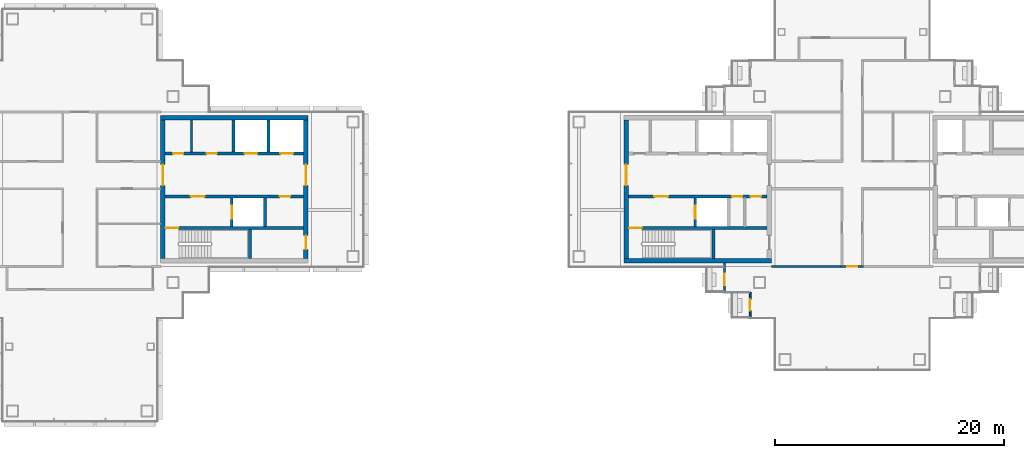
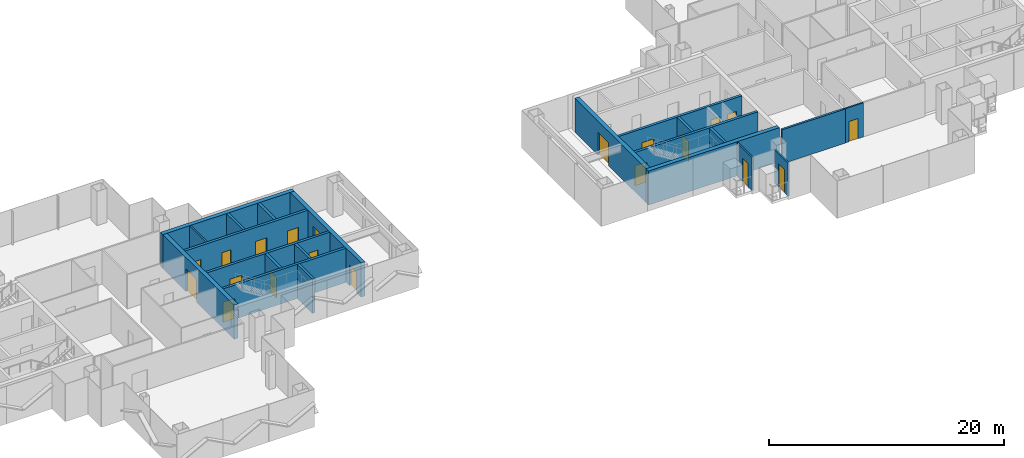
# One storey, part 10 of 17: 22 walls, 20 doors, 20 openings.
"""IFC4 building model written with IfcOpenShell, lengths in metres."""

from ifc_helpers import new_model, si_unit, direction, frame, frame_2d, origin, place, context, subcontext, project, spatial, rectangle, extrude, material, layer, layer_set, type_object, element, fill, save


model = new_model("IFC4")

# Units and contexts
model_context = context("Model", 3, precision=1e-05, world=origin(), true_north=direction((0.0, 1.0)))
body_context = subcontext(model_context, "Body", "Model", "MODEL_VIEW")
ifc_project = project(units=[si_unit("LENGTHUNIT", "METRE"), si_unit("AREAUNIT", "SQUARE_METRE"), si_unit("VOLUMEUNIT", "CUBIC_METRE"), si_unit("PLANEANGLEUNIT", "RADIAN"), si_unit("MASSUNIT", "GRAM", prefix="KILO")], contexts=[model_context])

# Site, building, storey
site_placement = place(None, origin())
site = spatial("IfcSite", under=ifc_project, at=site_placement, CompositionType="ELEMENT")
building_placement = place(site_placement, origin())
building = spatial("IfcBuilding", under=site, at=building_placement, Name="Shamsa Quay Exchange Towers", CompositionType="ELEMENT")
storey_placement = place(building_placement, frame((0.0, 0.0, 198.300048828125)))
storey = spatial("IfcBuildingStorey", under=building, at=storey_placement, Name="L47", CompositionType="ELEMENT", Elevation=198.300048828125)

# Wall, opening, door
ifc_material_1 = material(Name="Aluminium EN AW-6063 T6, black anodised, with black enamelled glass infill", Category="aluminium")
ifc_layer_1 = layer(ifc_material_1, 0.14990234375)
ifc_layer_set_1 = layer_set([ifc_layer_1], Name="BALCONY DOOR BAY WALL 150")
wall_type_1 = type_object("IfcWallType", Name="BALCONY DOOR BAY WALL 150", PredefinedType="SOLIDWALL", material=ifc_layer_set_1)
wall_1_placement = place(storey_placement, frame((22.574951171875, -9.0, 0.0), z_axis=(0.0, 0.0, 1.0), x_axis=(0.0, 1.0, 0.0)))
wall_1 = element("IfcWall", 1, at=wall_1_placement, inside=storey, type_object=wall_type_1, Name="Door bay T2-PKWN L47", PredefinedType="SOLIDWALL", context=body_context, shape_type="SweptSolid", body=[
    extrude(rectangle(XDim=2.556884765625, YDim=0.14990234375, at=frame_2d((1.2783203125, 0.0))), origin(), (0.0, 0.0, 1.0), 3.449951171875),
])
opening_1_placement = place(wall_1_placement, frame((0.625, 0.0, 0.0)))
opening_1 = element("IfcOpeningElement", 2, at=opening_1_placement, cuts=wall_1, Name="Opening XD309", PredefinedType="OPENING", context=body_context, shape_type="SweptSolid", body=[
    extrude(rectangle(XDim=1.0, YDim=2.39990234375, at=frame_2d((0.5, 1.199951171875))), frame((0.0, 0.0849609375, 0.0), z_axis=(0.0, -1.0, 0.0), x_axis=(1.0, 0.0, 0.0)), (0.0, 0.0, 1.0), 0.169921875),
])
ifc_material_2 = material(Name="Aluminium EN AW-6063 T6, black anodised, with laminated glass leaf", Category="aluminium")
door_type_1 = type_object("IfcDoorType", Name="BALCONY DOOR 1000x2400", OperationType="SINGLE_SWING_LEFT", PredefinedType="DOOR", material=ifc_material_2)
door_1_placement = place(opening_1_placement, origin())
door_1 = element("IfcDoor", 3, at=door_1_placement, inside=storey, type_object=door_type_1, Name="Balcony door T2-PKWN L47", OperationType="SINGLE_SWING_LEFT", OverallHeight=2.39990234375, OverallWidth=1.0, PredefinedType="DOOR", context=body_context, shape_type="SweptSolid", body=[
    extrude(rectangle(XDim=1.0, YDim=2.39990234375, at=frame_2d((0.5, 1.199951171875))), frame((0.0, 0.02490234375, 0.0), z_axis=(0.0, -1.0, 0.0), x_axis=(1.0, 0.0, 0.0)), (0.0, 0.0, 1.0), 0.050048828125),
])
fill(opening_1, door_1)

wall_2_placement = place(storey_placement, frame((24.824951171875, -11.25, 0.0), z_axis=(0.0, 0.0, 1.0), x_axis=(0.0, 1.0, 0.0)))
wall_2 = element("IfcWall", 4, at=wall_2_placement, inside=storey, type_object=wall_type_1, Name="Door bay T2-PKWN L47", PredefinedType="SOLIDWALL", context=body_context, shape_type="SweptSolid", body=[
    extrude(rectangle(XDim=2.25, YDim=0.14990234375, at=frame_2d((1.125, 0.0))), origin(), (0.0, 0.0, 1.0), 3.449951171875),
])
opening_2_placement = place(wall_2_placement, frame((0.625, 0.0, 0.0)))
opening_2 = element("IfcOpeningElement", 5, at=opening_2_placement, cuts=wall_2, Name="Opening XD310", PredefinedType="OPENING", context=body_context, shape_type="SweptSolid", body=[
    extrude(rectangle(XDim=1.0, YDim=2.39990234375, at=frame_2d((0.5, 1.199951171875))), frame((0.0, 0.0849609375, 0.0), z_axis=(0.0, -1.0, 0.0), x_axis=(1.0, 0.0, 0.0)), (0.0, 0.0, 1.0), 0.169921875),
])
door_2_placement = place(opening_2_placement, origin())
door_2 = element("IfcDoor", 6, at=door_2_placement, inside=storey, type_object=door_type_1, Name="Balcony door T2-PKWN L47", OperationType="SINGLE_SWING_RIGHT", OverallHeight=2.39990234375, OverallWidth=1.0, PredefinedType="DOOR", context=body_context, shape_type="SweptSolid", body=[
    extrude(rectangle(XDim=1.0, YDim=2.39990234375, at=frame_2d((0.5, 1.199951171875))), frame((0.0, 0.02490234375, 0.0), z_axis=(0.0, -1.0, 0.0), x_axis=(1.0, 0.0, 0.0)), (0.0, 0.0, 1.0), 0.050048828125),
])
fill(opening_2, door_2)

# Wall
ifc_material_3 = material(Name="Concrete C60/75", Category="concrete")
ifc_layer_2 = layer(ifc_material_3, 0.39990234375)
ifc_layer_set_2 = layer_set([ifc_layer_2], Name="CORE WALL 400 C60/75")
wall_type_2 = type_object("IfcWallType", Name="CORE WALL 400 C60/75", PredefinedType="SHEAR", material=ifc_layer_set_2)
wall_3_placement = place(storey_placement, frame((-26.699951171875, 6.25, 0.0)))
element("IfcWall", 7, at=wall_3_placement, inside=storey, type_object=wall_type_2, Name="Core wall T1A-R21-PN", PredefinedType="SHEAR", context=body_context, shape_type="SweptSolid", body=[
    extrude(rectangle(XDim=12.89990234375, YDim=0.39990234375, at=frame_2d((6.449951171875, 0.0))), origin(), (0.0, 0.0, 1.0), 3.550048828125),
])

# Wall, opening, door
wall_4_placement = place(storey_placement, frame((-26.5, 6.050048828125, 0.0), z_axis=(0.0, 0.0, 1.0), x_axis=(0.0, -1.0, 0.0)))
wall_4 = element("IfcWall", 8, at=wall_4_placement, inside=storey, type_object=wall_type_2, Name="Core wall T1A-R21-PF", PredefinedType="SHEAR", context=body_context, shape_type="SweptSolid", body=[
    extrude(rectangle(XDim=12.10009765625, YDim=0.39990234375, at=frame_2d((6.050048828125, 0.0))), origin(), (0.0, 0.0, 1.0), 3.550048828125),
])
opening_3_placement = place(wall_4_placement, frame((3.89990234375, 0.0, 0.0)))
opening_3 = element("IfcOpeningElement", 9, at=opening_3_placement, cuts=wall_4, Name="Opening T1A-R21-LBD01", PredefinedType="OPENING", context=body_context, shape_type="SweptSolid", body=[
    extrude(rectangle(XDim=1.800048828125, YDim=2.39990234375, at=frame_2d((0.89990234375, 1.199951171875))), frame((0.0, 0.2099609375, 0.0), z_axis=(0.0, -1.0, 0.0), x_axis=(1.0, 0.0, 0.0)), (0.0, 0.0, 1.0), 0.419921875),
])
ifc_material_4 = material(Name="Steel, fire rated", Category="steel")
door_type_2 = type_object("IfcDoorType", Name="LIFT LOBBY DOOR PAIR 1800", OperationType="DOUBLE_DOOR_SINGLE_SWING", PredefinedType="DOOR", material=ifc_material_4)
door_3_placement = place(opening_3_placement, origin())
door_3 = element("IfcDoor", 10, at=door_3_placement, inside=storey, type_object=door_type_2, Name="T1A-R21-LBD01", OperationType="DOUBLE_DOOR_SINGLE_SWING", OverallHeight=2.39990234375, OverallWidth=1.800048828125, PredefinedType="DOOR", context=body_context, shape_type="SweptSolid", body=[
    extrude(rectangle(XDim=1.800048828125, YDim=2.39990234375, at=frame_2d((0.89990234375, 1.199951171875))), frame((0.0, 0.02490234375, 0.0), z_axis=(0.0, -1.0, 0.0), x_axis=(1.0, 0.0, 0.0)), (0.0, 0.0, 1.0), 0.050048828125),
])
fill(opening_3, door_3)

# Wall, openings, doors
wall_5_placement = place(storey_placement, frame((-14.0, 6.050048828125, 0.0), z_axis=(0.0, 0.0, 1.0), x_axis=(0.0, -1.0, 0.0)))
wall_5 = element("IfcWall", 11, at=wall_5_placement, inside=storey, type_object=wall_type_2, Name="Core wall T1A-R21-PB", PredefinedType="SHEAR", context=body_context, shape_type="SweptSolid", body=[
    extrude(rectangle(XDim=12.10009765625, YDim=0.39990234375, at=frame_2d((6.050048828125, 0.0))), origin(), (0.0, 0.0, 1.0), 3.550048828125),
])
opening_4_placement = place(wall_5_placement, frame((10.10009765625, 0.0, 0.0)))
opening_4 = element("IfcOpeningElement", 12, at=opening_4_placement, cuts=wall_5, Name="Opening T1A-R21-RD02", PredefinedType="OPENING", context=body_context, shape_type="SweptSolid", body=[
    extrude(rectangle(XDim=1.199951171875, YDim=2.10009765625, at=frame_2d((0.60009765625, 1.050048828125))), frame((0.0, 0.2099609375, 0.0), z_axis=(0.0, -1.0, 0.0), x_axis=(1.0, 0.0, 0.0)), (0.0, 0.0, 1.0), 0.419921875),
])
opening_5_placement = place(wall_5_placement, frame((3.89990234375, 0.0, 0.0)))
opening_5 = element("IfcOpeningElement", 13, at=opening_5_placement, cuts=wall_5, Name="Opening T1A-R21-LBD03", PredefinedType="OPENING", context=body_context, shape_type="SweptSolid", body=[
    extrude(rectangle(XDim=1.800048828125, YDim=2.39990234375, at=frame_2d((0.89990234375, 1.199951171875))), frame((0.0, 0.2099609375, 0.0), z_axis=(0.0, -1.0, 0.0), x_axis=(1.0, 0.0, 0.0)), (0.0, 0.0, 1.0), 0.419921875),
])
door_4_placement = place(opening_5_placement, origin())
door_4 = element("IfcDoor", 14, at=door_4_placement, inside=storey, type_object=door_type_2, Name="T1A-R21-LBD03", OperationType="DOUBLE_DOOR_SINGLE_SWING", OverallHeight=2.39990234375, OverallWidth=1.800048828125, PredefinedType="DOOR", context=body_context, shape_type="SweptSolid", body=[
    extrude(rectangle(XDim=1.800048828125, YDim=2.39990234375, at=frame_2d((0.89990234375, 1.199951171875))), frame((0.0, 0.02490234375, 0.0), z_axis=(0.0, -1.0, 0.0), x_axis=(1.0, 0.0, 0.0)), (0.0, 0.0, 1.0), 0.050048828125),
])
fill(opening_5, door_4)
door_type_3 = type_object("IfcDoorType", Name="RISER ACCESS DOOR 1200", OperationType="SINGLE_SWING_LEFT", PredefinedType="DOOR", material=ifc_material_4)
door_5_placement = place(opening_4_placement, origin())
door_5 = element("IfcDoor", 15, at=door_5_placement, inside=storey, type_object=door_type_3, Name="T1A-R21-RD02", OperationType="SINGLE_SWING_RIGHT", OverallHeight=2.10009765625, OverallWidth=1.199951171875, PredefinedType="DOOR", context=body_context, shape_type="SweptSolid", body=[
    extrude(rectangle(XDim=1.199951171875, YDim=2.10009765625, at=frame_2d((0.60009765625, 1.050048828125))), frame((0.0, 0.02490234375, 0.0), z_axis=(0.0, -1.0, 0.0), x_axis=(1.0, 0.0, 0.0)), (0.0, 0.0, 1.0), 0.050048828125),
])
fill(opening_4, door_5)

# Wall
wall_6_placement = place(storey_placement, frame((13.800048828125, -6.25, 0.0)))
element("IfcWall", 16, at=wall_6_placement, inside=storey, type_object=wall_type_2, Name="Core wall T2A-R21-PS", PredefinedType="SHEAR", context=body_context, shape_type="SweptSolid", body=[
    extrude(rectangle(XDim=12.89990234375, YDim=0.39990234375, at=frame_2d((6.449951171875, 0.0))), origin(), (0.0, 0.0, 1.0), 3.550048828125),
])

# Wall, opening, door
wall_7_placement = place(storey_placement, frame((14.0, 6.050048828125, 0.0), z_axis=(0.0, 0.0, 1.0), x_axis=(0.0, -1.0, 0.0)))
wall_7 = element("IfcWall", 17, at=wall_7_placement, inside=storey, type_object=wall_type_2, Name="Core wall T2A-R21-PF", PredefinedType="SHEAR", context=body_context, shape_type="SweptSolid", body=[
    extrude(rectangle(XDim=12.10009765625, YDim=0.39990234375, at=frame_2d((6.050048828125, 0.0))), origin(), (0.0, 0.0, 1.0), 3.550048828125),
])
opening_6_placement = place(wall_7_placement, frame((3.89990234375, 0.0, 0.0)))
opening_6 = element("IfcOpeningElement", 18, at=opening_6_placement, cuts=wall_7, Name="Opening T2A-R21-LBD01", PredefinedType="OPENING", context=body_context, shape_type="SweptSolid", body=[
    extrude(rectangle(XDim=1.800048828125, YDim=2.39990234375, at=frame_2d((0.89990234375, 1.199951171875))), frame((0.0, 0.2099609375, 0.0), z_axis=(0.0, -1.0, 0.0), x_axis=(1.0, 0.0, 0.0)), (0.0, 0.0, 1.0), 0.419921875),
])
door_6_placement = place(opening_6_placement, origin())
door_6 = element("IfcDoor", 19, at=door_6_placement, inside=storey, type_object=door_type_2, Name="T2A-R21-LBD01", OperationType="DOUBLE_DOOR_SINGLE_SWING", OverallHeight=2.39990234375, OverallWidth=1.800048828125, PredefinedType="DOOR", context=body_context, shape_type="SweptSolid", body=[
    extrude(rectangle(XDim=1.800048828125, YDim=2.39990234375, at=frame_2d((0.89990234375, 1.199951171875))), frame((0.0, 0.02490234375, 0.0), z_axis=(0.0, -1.0, 0.0), x_axis=(1.0, 0.0, 0.0)), (0.0, 0.0, 1.0), 0.050048828125),
])
fill(opening_6, door_6)

# Wall
ifc_material_5 = material(Name="Gypsum board on steel studs, EI 60", Category="steel")
ifc_layer_3 = layer(ifc_material_5, 0.14990234375)
ifc_layer_set_3 = layer_set([ifc_layer_3], Name="FIRE PARTITION 150")
wall_type_3 = type_object("IfcWallType", Name="FIRE PARTITION 150", PredefinedType="PARTITIONING", material=ifc_layer_set_3)
wall_8_placement = place(storey_placement, frame((-24.0, 3.25, 0.0), z_axis=(0.0, 0.0, 1.0), x_axis=(0.0, 1.0, 0.0)))
element("IfcWall", 20, at=wall_8_placement, inside=storey, type_object=wall_type_3, Name="Partition T1A-R21-FC0", PredefinedType="PARTITIONING", context=body_context, shape_type="SweptSolid", body=[
    extrude(rectangle(XDim=2.800048828125, YDim=0.14990234375, at=frame_2d((1.39990234375, 0.0))), origin(), (0.0, 0.0, 1.0), 3.550048828125),
])

# Wall, opening, door
ifc_material_6 = material(Name="Gypsum board partition on metal studs")
ifc_layer_4 = layer(ifc_material_6, 0.14990234375)
ifc_layer_set_4 = layer_set([ifc_layer_4], Name="Partition 150 mm EI 60")
wall_type_4 = type_object("IfcWallType", Name="Partition 150 mm EI 60", PredefinedType="PARTITIONING", material=ifc_layer_set_4)
wall_9_placement = place(storey_placement, frame((34.725341796875, -6.75, 0.0), z_axis=(0.0, 0.0, 1.0), x_axis=(-1.0, 0.0, 0.0)))
wall_9 = element("IfcWall", 21, at=wall_9_placement, inside=storey, type_object=wall_type_4, Name="Partition T2-R21-W16", PredefinedType="PARTITIONING", context=body_context, shape_type="SweptSolid", body=[
    extrude(rectangle(XDim=1.975830078125, YDim=0.14990234375, at=frame_2d((0.98779296875, 0.0))), origin(), (0.0, 0.0, 1.0), 3.550048828125),
])
opening_7_placement = place(wall_9_placement, frame((0.525390625, 0.0, 0.0)))
opening_7 = element("IfcOpeningElement", 22, at=opening_7_placement, cuts=wall_9, Name="Opening T2-R21-D06", PredefinedType="OPENING", context=body_context, shape_type="SweptSolid", body=[
    extrude(rectangle(XDim=0.89990234375, YDim=2.10009765625, at=frame_2d((0.449951171875, 1.050048828125))), frame((0.0, 0.0849609375, 0.0), z_axis=(0.0, -1.0, 0.0), x_axis=(1.0, 0.0, 0.0)), (0.0, 0.0, 1.0), 0.169921875),
])
ifc_material_7 = material(Name="Timber door leaf in a metal frame", Category="wood")
door_type_4 = type_object("IfcDoorType", Name="Door 900x2100 FD30S", OperationType="NOTDEFINED", PredefinedType="DOOR", material=ifc_material_7)
door_7_placement = place(opening_7_placement, origin())
door_7 = element("IfcDoor", 23, at=door_7_placement, inside=storey, type_object=door_type_4, Name="Door T2-R21-D06", OperationType="SINGLE_SWING_LEFT", OverallHeight=2.10009765625, OverallWidth=0.89990234375, PredefinedType="DOOR", context=body_context, shape_type="SweptSolid", body=[
    extrude(rectangle(XDim=0.89990234375, YDim=2.10009765625, at=frame_2d((0.449951171875, 1.050048828125))), frame((0.0, 0.02490234375, 0.0), z_axis=(0.0, -1.0, 0.0), x_axis=(1.0, 0.0, 0.0)), (0.0, 0.0, 1.0), 0.050048828125),
])
fill(opening_7, door_7)

# Wall
ifc_layer_5 = layer(ifc_material_6, 0.199951171875)
ifc_layer_set_5 = layer_set([ifc_layer_5], Name="Partition 200 mm EI 120")
wall_type_5 = type_object("IfcWallType", Name="Partition 200 mm EI 120", PredefinedType="PARTITIONING", material=ifc_layer_set_5)
wall_10_placement = place(storey_placement, frame((26.699951171875, -6.75, 0.0)))
element("IfcWall", 24, at=wall_10_placement, inside=storey, type_object=wall_type_5, Name="Partition T2-R21-W18", PredefinedType="PARTITIONING", context=body_context, shape_type="SweptSolid", body=[
    extrude(rectangle(XDim=6.249755859375, YDim=0.199951171875, at=frame_2d((3.125, 0.0))), origin(), (0.0, 0.0, 1.0), 3.550048828125),
])

# Wall, opening, door
ifc_material_8 = material(Name="Concrete C50/60", Category="concrete")
ifc_layer_6 = layer(ifc_material_8, 0.25)
ifc_layer_set_6 = layer_set([ifc_layer_6], Name="SHAFT WALL 250 C50/60")
wall_type_6 = type_object("IfcWallType", Name="SHAFT WALL 250 C50/60", PredefinedType="SHEAR", material=ifc_layer_set_6)
wall_11_placement = place(storey_placement, frame((-14.199951171875, -3.375, 0.0), z_axis=(0.0, 0.0, 1.0), x_axis=(-1.0, 0.0, 0.0)))
wall_11 = element("IfcWall", 25, at=wall_11_placement, inside=storey, type_object=wall_type_6, Name="Shaft wall T1A-R21-STL", PredefinedType="SHEAR", context=body_context, shape_type="SweptSolid", body=[
    extrude(rectangle(XDim=12.10009765625, YDim=0.25, at=frame_2d((6.050048828125, 0.0))), origin(), (0.0, 0.0, 1.0), 3.550048828125),
])
opening_8_placement = place(wall_11_placement, frame((10.949951171875, 0.0, 0.0)))
opening_8 = element("IfcOpeningElement", 26, at=opening_8_placement, cuts=wall_11, Name="Opening T1A-R21-SD04", PredefinedType="OPENING", context=body_context, shape_type="SweptSolid", body=[
    extrude(rectangle(XDim=1.10009765625, YDim=2.10009765625, at=frame_2d((0.550048828125, 1.050048828125))), frame((0.0, 0.135009765625, 0.0), z_axis=(0.0, -1.0, 0.0), x_axis=(1.0, 0.0, 0.0)), (0.0, 0.0, 1.0), 0.27001953125),
])
door_type_5 = type_object("IfcDoorType", Name="STAIR DOOR 1100", OperationType="SINGLE_SWING_LEFT", PredefinedType="DOOR", material=ifc_material_4)
door_8_placement = place(opening_8_placement, origin())
door_8 = element("IfcDoor", 27, at=door_8_placement, inside=storey, type_object=door_type_5, Name="T1A-R21-SD04", OperationType="SINGLE_SWING_RIGHT", OverallHeight=2.10009765625, OverallWidth=1.10009765625, PredefinedType="DOOR", context=body_context, shape_type="SweptSolid", body=[
    extrude(rectangle(XDim=1.10009765625, YDim=2.10009765625, at=frame_2d((0.550048828125, 1.050048828125))), frame((0.0, 0.02490234375, 0.0), z_axis=(0.0, -1.0, 0.0), x_axis=(1.0, 0.0, 0.0)), (0.0, 0.0, 1.0), 0.050048828125),
])
fill(opening_8, door_8)

# Wall
wall_12_placement = place(storey_placement, frame((-18.875, -6.050048828125, 0.0), z_axis=(0.0, 0.0, 1.0), x_axis=(0.0, 1.0, 0.0)))
element("IfcWall", 28, at=wall_12_placement, inside=storey, type_object=wall_type_6, Name="Shaft wall T1A-R21-STF", PredefinedType="SHEAR", context=body_context, shape_type="SweptSolid", body=[
    extrude(rectangle(XDim=2.550048828125, YDim=0.25, at=frame_2d((1.27490234375, 0.0))), origin(), (0.0, 0.0, 1.0), 3.550048828125),
])

# Wall, openings, doors
wall_13_placement = place(storey_placement, frame((-14.199951171875, -0.625, 0.0), z_axis=(0.0, 0.0, 1.0), x_axis=(-1.0, 0.0, 0.0)))
wall_13 = element("IfcWall", 29, at=wall_13_placement, inside=storey, type_object=wall_type_6, Name="Shaft wall T1A-R21-B", PredefinedType="SHEAR", context=body_context, shape_type="SweptSolid", body=[
    extrude(rectangle(XDim=12.10009765625, YDim=0.25, at=frame_2d((6.050048828125, 0.0))), origin(), (0.0, 0.0, 1.0), 3.550048828125),
])
opening_9_placement = place(wall_13_placement, frame((8.64990234375, 0.0, 0.0)))
opening_9 = element("IfcOpeningElement", 30, at=opening_9_placement, cuts=wall_13, Name="Opening T1A-R21-FD05", PredefinedType="OPENING", context=body_context, shape_type="SweptSolid", body=[
    extrude(rectangle(XDim=1.199951171875, YDim=2.10009765625, at=frame_2d((0.60009765625, 1.050048828125))), frame((0.0, 0.135009765625, 0.0), z_axis=(0.0, -1.0, 0.0), x_axis=(1.0, 0.0, 0.0)), (0.0, 0.0, 1.0), 0.27001953125),
])
opening_10_placement = place(wall_13_placement, frame((1.175048828125, 0.0, 0.0)))
opening_10 = element("IfcOpeningElement", 31, at=opening_10_placement, cuts=wall_13, Name="Opening T1A-R21-SV06", PredefinedType="OPENING", context=body_context, shape_type="SweptSolid", body=[
    extrude(rectangle(XDim=0.89990234375, YDim=2.10009765625, at=frame_2d((0.449951171875, 1.050048828125))), frame((0.0, 0.135009765625, 0.0), z_axis=(0.0, -1.0, 0.0), x_axis=(1.0, 0.0, 0.0)), (0.0, 0.0, 1.0), 0.27001953125),
])
door_type_6 = type_object("IfcDoorType", Name="FIRE SERVICE LOBBY DOOR 1200", OperationType="SINGLE_SWING_LEFT", PredefinedType="DOOR", material=ifc_material_4)
door_9_placement = place(opening_9_placement, origin())
door_9 = element("IfcDoor", 32, at=door_9_placement, inside=storey, type_object=door_type_6, Name="T1A-R21-FD05", OperationType="SINGLE_SWING_RIGHT", OverallHeight=2.10009765625, OverallWidth=1.199951171875, PredefinedType="DOOR", context=body_context, shape_type="SweptSolid", body=[
    extrude(rectangle(XDim=1.199951171875, YDim=2.10009765625, at=frame_2d((0.60009765625, 1.050048828125))), frame((0.0, 0.02490234375, 0.0), z_axis=(0.0, -1.0, 0.0), x_axis=(1.0, 0.0, 0.0)), (0.0, 0.0, 1.0), 0.050048828125),
])
fill(opening_9, door_9)
door_type_7 = type_object("IfcDoorType", Name="SERVICE ROOM DOOR 900", OperationType="SINGLE_SWING_LEFT", PredefinedType="DOOR", material=ifc_material_4)
door_10_placement = place(opening_10_placement, origin())
door_10 = element("IfcDoor", 33, at=door_10_placement, inside=storey, type_object=door_type_7, Name="T1A-R21-SV06", OperationType="SINGLE_SWING_LEFT", OverallHeight=2.10009765625, OverallWidth=0.89990234375, PredefinedType="DOOR", context=body_context, shape_type="SweptSolid", body=[
    extrude(rectangle(XDim=0.89990234375, YDim=2.10009765625, at=frame_2d((0.449951171875, 1.050048828125))), frame((0.0, 0.02490234375, 0.0), z_axis=(0.0, -1.0, 0.0), x_axis=(1.0, 0.0, 0.0)), (0.0, 0.0, 1.0), 0.050048828125),
])
fill(opening_10, door_10)

# Wall, opening, door
wall_14_placement = place(storey_placement, frame((-20.47509765625, -3.25, 0.0), z_axis=(0.0, 0.0, 1.0), x_axis=(0.0, 1.0, 0.0)))
wall_14 = element("IfcWall", 34, at=wall_14_placement, inside=storey, type_object=wall_type_6, Name="Shaft wall T1A-R21-FFF", PredefinedType="SHEAR", context=body_context, shape_type="SweptSolid", body=[
    extrude(rectangle(XDim=2.5, YDim=0.25, at=frame_2d((1.25, 0.0))), origin(), (0.0, 0.0, 1.0), 3.550048828125),
])
opening_11_placement = place(wall_14_placement, frame((0.699951171875, 0.0, 0.0)))
opening_11 = element("IfcOpeningElement", 35, at=opening_11_placement, cuts=wall_14, Name="Opening T1A-R21-LDF07", PredefinedType="OPENING", context=body_context, shape_type="SweptSolid", body=[
    extrude(rectangle(XDim=1.10009765625, YDim=2.10009765625, at=frame_2d((0.550048828125, 1.050048828125))), frame((0.0, 0.135009765625, 0.0), z_axis=(0.0, -1.0, 0.0), x_axis=(1.0, 0.0, 0.0)), (0.0, 0.0, 1.0), 0.27001953125),
])
door_type_8 = type_object("IfcDoorType", Name="FIRE SERVICE LANDING DOOR 1100", OperationType="SLIDING_TO_LEFT", PredefinedType="DOOR", material=ifc_material_4)
door_11_placement = place(opening_11_placement, origin())
door_11 = element("IfcDoor", 36, at=door_11_placement, inside=storey, type_object=door_type_8, Name="T1A-R21-LDF07", OperationType="SLIDING_TO_LEFT", OverallHeight=2.10009765625, OverallWidth=1.10009765625, PredefinedType="DOOR", context=body_context, shape_type="SweptSolid", body=[
    extrude(rectangle(XDim=1.10009765625, YDim=2.10009765625, at=frame_2d((0.550048828125, 1.050048828125))), frame((0.0, 0.02490234375, 0.0), z_axis=(0.0, -1.0, 0.0), x_axis=(1.0, 0.0, 0.0)), (0.0, 0.0, 1.0), 0.050048828125),
])
fill(opening_11, door_11)

# Wall
wall_15_placement = place(storey_placement, frame((-17.574951171875, -3.25, 0.0), z_axis=(0.0, 0.0, 1.0), x_axis=(0.0, 1.0, 0.0)))
element("IfcWall", 37, at=wall_15_placement, inside=storey, type_object=wall_type_6, Name="Shaft wall T1A-R21-FFB", PredefinedType="SHEAR", context=body_context, shape_type="SweptSolid", body=[
    extrude(rectangle(XDim=2.5, YDim=0.25, at=frame_2d((1.25, 0.0))), origin(), (0.0, 0.0, 1.0), 3.550048828125),
])

# Wall, openings, doors
wall_16_placement = place(storey_placement, frame((-26.300048828125, 3.125, 0.0)))
wall_16 = element("IfcWall", 38, at=wall_16_placement, inside=storey, type_object=wall_type_6, Name="Shaft wall T1A-R21-N", PredefinedType="SHEAR", context=body_context, shape_type="SweptSolid", body=[
    extrude(rectangle(XDim=12.10009765625, YDim=0.25, at=frame_2d((6.050048828125, 0.0))), origin(), (0.0, 0.0, 1.0), 3.550048828125),
])
opening_12_placement = place(wall_16_placement, frame((6.949951171875, 0.0, 0.0)))
opening_12 = element("IfcOpeningElement", 39, at=opening_12_placement, cuts=wall_16, Name="Opening T1A-R21-LD08", PredefinedType="OPENING", context=body_context, shape_type="SweptSolid", body=[
    extrude(rectangle(XDim=1.10009765625, YDim=2.10009765625, at=frame_2d((0.550048828125, 1.050048828125))), frame((0.0, 0.135009765625, 0.0), z_axis=(0.0, -1.0, 0.0), x_axis=(1.0, 0.0, 0.0)), (0.0, 0.0, 1.0), 0.27001953125),
])
opening_13_placement = place(wall_16_placement, frame((10.074951171875, 0.0, 0.0)))
opening_13 = element("IfcOpeningElement", 40, at=opening_13_placement, cuts=wall_16, Name="Opening T1A-R21-LD09", PredefinedType="OPENING", context=body_context, shape_type="SweptSolid", body=[
    extrude(rectangle(XDim=1.10009765625, YDim=2.10009765625, at=frame_2d((0.550048828125, 1.050048828125))), frame((0.0, 0.135009765625, 0.0), z_axis=(0.0, -1.0, 0.0), x_axis=(1.0, 0.0, 0.0)), (0.0, 0.0, 1.0), 0.27001953125),
])
opening_14_placement = place(wall_16_placement, frame((0.699951171875, 0.0, 0.0)))
opening_14 = element("IfcOpeningElement", 41, at=opening_14_placement, cuts=wall_16, Name="Opening T1A-R21-SV10", PredefinedType="OPENING", context=body_context, shape_type="SweptSolid", body=[
    extrude(rectangle(XDim=0.89990234375, YDim=2.10009765625, at=frame_2d((0.449951171875, 1.050048828125))), frame((0.0, 0.135009765625, 0.0), z_axis=(0.0, -1.0, 0.0), x_axis=(1.0, 0.0, 0.0)), (0.0, 0.0, 1.0), 0.27001953125),
])
opening_15_placement = place(wall_16_placement, frame((3.625, 0.0, 0.0)))
opening_15 = element("IfcOpeningElement", 42, at=opening_15_placement, cuts=wall_16, Name="Opening T1A-R21-SV11", PredefinedType="OPENING", context=body_context, shape_type="SweptSolid", body=[
    extrude(rectangle(XDim=0.89990234375, YDim=2.10009765625, at=frame_2d((0.449951171875, 1.050048828125))), frame((0.0, 0.135009765625, 0.0), z_axis=(0.0, -1.0, 0.0), x_axis=(1.0, 0.0, 0.0)), (0.0, 0.0, 1.0), 0.27001953125),
])
door_type_9 = type_object("IfcDoorType", Name="LANDING DOOR 1100", OperationType="SLIDING_TO_LEFT", PredefinedType="DOOR", material=ifc_material_4)
door_12_placement = place(opening_12_placement, origin())
door_12 = element("IfcDoor", 43, at=door_12_placement, inside=storey, type_object=door_type_9, Name="T1A-R21-LD08", OperationType="SLIDING_TO_LEFT", OverallHeight=2.10009765625, OverallWidth=1.10009765625, PredefinedType="DOOR", context=body_context, shape_type="SweptSolid", body=[
    extrude(rectangle(XDim=1.10009765625, YDim=2.10009765625, at=frame_2d((0.550048828125, 1.050048828125))), frame((0.0, 0.02490234375, 0.0), z_axis=(0.0, -1.0, 0.0), x_axis=(1.0, 0.0, 0.0)), (0.0, 0.0, 1.0), 0.050048828125),
])
fill(opening_12, door_12)
door_13_placement = place(opening_13_placement, origin())
door_13 = element("IfcDoor", 44, at=door_13_placement, inside=storey, type_object=door_type_9, Name="T1A-R21-LD09", OperationType="SLIDING_TO_LEFT", OverallHeight=2.10009765625, OverallWidth=1.10009765625, PredefinedType="DOOR", context=body_context, shape_type="SweptSolid", body=[
    extrude(rectangle(XDim=1.10009765625, YDim=2.10009765625, at=frame_2d((0.550048828125, 1.050048828125))), frame((0.0, 0.02490234375, 0.0), z_axis=(0.0, -1.0, 0.0), x_axis=(1.0, 0.0, 0.0)), (0.0, 0.0, 1.0), 0.050048828125),
])
fill(opening_13, door_13)
door_14_placement = place(opening_14_placement, origin())
door_14 = element("IfcDoor", 45, at=door_14_placement, inside=storey, type_object=door_type_7, Name="T1A-R21-SV10", OperationType="SINGLE_SWING_LEFT", OverallHeight=2.10009765625, OverallWidth=0.89990234375, PredefinedType="DOOR", context=body_context, shape_type="SweptSolid", body=[
    extrude(rectangle(XDim=0.89990234375, YDim=2.10009765625, at=frame_2d((0.449951171875, 1.050048828125))), frame((0.0, 0.02490234375, 0.0), z_axis=(0.0, -1.0, 0.0), x_axis=(1.0, 0.0, 0.0)), (0.0, 0.0, 1.0), 0.050048828125),
])
fill(opening_14, door_14)
door_15_placement = place(opening_15_placement, origin())
door_15 = element("IfcDoor", 46, at=door_15_placement, inside=storey, type_object=door_type_7, Name="T1A-R21-SV11", OperationType="SINGLE_SWING_LEFT", OverallHeight=2.10009765625, OverallWidth=0.89990234375, PredefinedType="DOOR", context=body_context, shape_type="SweptSolid", body=[
    extrude(rectangle(XDim=0.89990234375, YDim=2.10009765625, at=frame_2d((0.449951171875, 1.050048828125))), frame((0.0, 0.02490234375, 0.0), z_axis=(0.0, -1.0, 0.0), x_axis=(1.0, 0.0, 0.0)), (0.0, 0.0, 1.0), 0.050048828125),
])
fill(opening_15, door_15)

# Walls
for number, where, z_axis, x_axis, name in (
    (47, (-20.324951171875, 3.25, 0.0), (0.0, 0.0, 1.0), (0.0, 1.0, 0.0), "Shaft wall T1A-R21-D1"),
    (48, (-17.27490234375, 3.25, 0.0), (0.0, 0.0, 1.0), (0.0, 1.0, 0.0), "Shaft wall T1A-R21-D2"),
):
    element("IfcWall", number, at=place(storey_placement, frame(where, z_axis=z_axis, x_axis=x_axis)), inside=storey, type_object=wall_type_6, Name=name, PredefinedType="SHEAR", context=body_context, shape_type="SweptSolid", body=[
        extrude(rectangle(XDim=2.800048828125, YDim=0.25, at=frame_2d((1.39990234375, 0.0))), origin(), (0.0, 0.0, 1.0), 3.550048828125),
    ])

# Wall, opening, door
wall_17_placement = place(storey_placement, frame((26.300048828125, -3.375, 0.0), z_axis=(0.0, 0.0, 1.0), x_axis=(-1.0, 0.0, 0.0)))
wall_17 = element("IfcWall", 49, at=wall_17_placement, inside=storey, type_object=wall_type_6, Name="Shaft wall T2A-R21-STL", PredefinedType="SHEAR", context=body_context, shape_type="SweptSolid", body=[
    extrude(rectangle(XDim=12.10009765625, YDim=0.25, at=frame_2d((6.050048828125, 0.0))), origin(), (0.0, 0.0, 1.0), 3.550048828125),
])
opening_16_placement = place(wall_17_placement, frame((10.949951171875, 0.0, 0.0)))
opening_16 = element("IfcOpeningElement", 50, at=opening_16_placement, cuts=wall_17, Name="Opening T2A-R21-SD04", PredefinedType="OPENING", context=body_context, shape_type="SweptSolid", body=[
    extrude(rectangle(XDim=1.10009765625, YDim=2.10009765625, at=frame_2d((0.550048828125, 1.050048828125))), frame((0.0, 0.135009765625, 0.0), z_axis=(0.0, -1.0, 0.0), x_axis=(1.0, 0.0, 0.0)), (0.0, 0.0, 1.0), 0.27001953125),
])
door_16_placement = place(opening_16_placement, origin())
door_16 = element("IfcDoor", 51, at=door_16_placement, inside=storey, type_object=door_type_5, Name="T2A-R21-SD04", OperationType="SINGLE_SWING_RIGHT", OverallHeight=2.10009765625, OverallWidth=1.10009765625, PredefinedType="DOOR", context=body_context, shape_type="SweptSolid", body=[
    extrude(rectangle(XDim=1.10009765625, YDim=2.10009765625, at=frame_2d((0.550048828125, 1.050048828125))), frame((0.0, 0.02490234375, 0.0), z_axis=(0.0, -1.0, 0.0), x_axis=(1.0, 0.0, 0.0)), (0.0, 0.0, 1.0), 0.050048828125),
])
fill(opening_16, door_16)

# Wall
wall_18_placement = place(storey_placement, frame((21.625, -6.050048828125, 0.0), z_axis=(0.0, 0.0, 1.0), x_axis=(0.0, 1.0, 0.0)))
element("IfcWall", 52, at=wall_18_placement, inside=storey, type_object=wall_type_6, Name="Shaft wall T2A-R21-STF", PredefinedType="SHEAR", context=body_context, shape_type="SweptSolid", body=[
    extrude(rectangle(XDim=2.550048828125, YDim=0.25, at=frame_2d((1.27490234375, 0.0))), origin(), (0.0, 0.0, 1.0), 3.550048828125),
])

# Wall, openings, doors
wall_19_placement = place(storey_placement, frame((26.300048828125, -0.625, 0.0), z_axis=(0.0, 0.0, 1.0), x_axis=(-1.0, 0.0, 0.0)))
wall_19 = element("IfcWall", 53, at=wall_19_placement, inside=storey, type_object=wall_type_6, Name="Shaft wall T2A-R21-B", PredefinedType="SHEAR", context=body_context, shape_type="SweptSolid", body=[
    extrude(rectangle(XDim=12.10009765625, YDim=0.25, at=frame_2d((6.050048828125, 0.0))), origin(), (0.0, 0.0, 1.0), 3.550048828125),
])
opening_17_placement = place(wall_19_placement, frame((8.64990234375, 0.0, 0.0)))
opening_17 = element("IfcOpeningElement", 54, at=opening_17_placement, cuts=wall_19, Name="Opening T2A-R21-FD05", PredefinedType="OPENING", context=body_context, shape_type="SweptSolid", body=[
    extrude(rectangle(XDim=1.199951171875, YDim=2.10009765625, at=frame_2d((0.60009765625, 1.050048828125))), frame((0.0, 0.135009765625, 0.0), z_axis=(0.0, -1.0, 0.0), x_axis=(1.0, 0.0, 0.0)), (0.0, 0.0, 1.0), 0.27001953125),
])
opening_18_placement = place(wall_19_placement, frame((2.14990234375, 0.0, 0.0)))
opening_18 = element("IfcOpeningElement", 55, at=opening_18_placement, cuts=wall_19, Name="Opening T2A-R21-SV06", PredefinedType="OPENING", context=body_context, shape_type="SweptSolid", body=[
    extrude(rectangle(XDim=0.89990234375, YDim=2.10009765625, at=frame_2d((0.449951171875, 1.050048828125))), frame((0.0, 0.135009765625, 0.0), z_axis=(0.0, -1.0, 0.0), x_axis=(1.0, 0.0, 0.0)), (0.0, 0.0, 1.0), 0.27001953125),
])
opening_19_placement = place(wall_19_placement, frame((0.52490234375, 0.0, 0.0)))
opening_19 = element("IfcOpeningElement", 56, at=opening_19_placement, cuts=wall_19, Name="Opening T2A-R21-SV07", PredefinedType="OPENING", context=body_context, shape_type="SweptSolid", body=[
    extrude(rectangle(XDim=0.89990234375, YDim=2.10009765625, at=frame_2d((0.449951171875, 1.050048828125))), frame((0.0, 0.135009765625, 0.0), z_axis=(0.0, -1.0, 0.0), x_axis=(1.0, 0.0, 0.0)), (0.0, 0.0, 1.0), 0.27001953125),
])
door_17_placement = place(opening_17_placement, origin())
door_17 = element("IfcDoor", 57, at=door_17_placement, inside=storey, type_object=door_type_6, Name="T2A-R21-FD05", OperationType="SINGLE_SWING_RIGHT", OverallHeight=2.10009765625, OverallWidth=1.199951171875, PredefinedType="DOOR", context=body_context, shape_type="SweptSolid", body=[
    extrude(rectangle(XDim=1.199951171875, YDim=2.10009765625, at=frame_2d((0.60009765625, 1.050048828125))), frame((0.0, 0.02490234375, 0.0), z_axis=(0.0, -1.0, 0.0), x_axis=(1.0, 0.0, 0.0)), (0.0, 0.0, 1.0), 0.050048828125),
])
fill(opening_17, door_17)
door_18_placement = place(opening_18_placement, origin())
door_18 = element("IfcDoor", 58, at=door_18_placement, inside=storey, type_object=door_type_7, Name="T2A-R21-SV06", OperationType="SINGLE_SWING_LEFT", OverallHeight=2.10009765625, OverallWidth=0.89990234375, PredefinedType="DOOR", context=body_context, shape_type="SweptSolid", body=[
    extrude(rectangle(XDim=0.89990234375, YDim=2.10009765625, at=frame_2d((0.449951171875, 1.050048828125))), frame((0.0, 0.02490234375, 0.0), z_axis=(0.0, -1.0, 0.0), x_axis=(1.0, 0.0, 0.0)), (0.0, 0.0, 1.0), 0.050048828125),
])
fill(opening_18, door_18)
door_19_placement = place(opening_19_placement, origin())
door_19 = element("IfcDoor", 59, at=door_19_placement, inside=storey, type_object=door_type_7, Name="T2A-R21-SV07", OperationType="SINGLE_SWING_LEFT", OverallHeight=2.10009765625, OverallWidth=0.89990234375, PredefinedType="DOOR", context=body_context, shape_type="SweptSolid", body=[
    extrude(rectangle(XDim=0.89990234375, YDim=2.10009765625, at=frame_2d((0.449951171875, 1.050048828125))), frame((0.0, 0.02490234375, 0.0), z_axis=(0.0, -1.0, 0.0), x_axis=(1.0, 0.0, 0.0)), (0.0, 0.0, 1.0), 0.050048828125),
])
fill(opening_19, door_19)

# Wall, opening, door
wall_20_placement = place(storey_placement, frame((20.02490234375, -3.25, 0.0), z_axis=(0.0, 0.0, 1.0), x_axis=(0.0, 1.0, 0.0)))
wall_20 = element("IfcWall", 60, at=wall_20_placement, inside=storey, type_object=wall_type_6, Name="Shaft wall T2A-R21-FFF", PredefinedType="SHEAR", context=body_context, shape_type="SweptSolid", body=[
    extrude(rectangle(XDim=2.5, YDim=0.25, at=frame_2d((1.25, 0.0))), origin(), (0.0, 0.0, 1.0), 3.550048828125),
])
opening_20_placement = place(wall_20_placement, frame((0.699951171875, 0.0, 0.0)))
opening_20 = element("IfcOpeningElement", 61, at=opening_20_placement, cuts=wall_20, Name="Opening T2A-R21-LDF08", PredefinedType="OPENING", context=body_context, shape_type="SweptSolid", body=[
    extrude(rectangle(XDim=1.10009765625, YDim=2.10009765625, at=frame_2d((0.550048828125, 1.050048828125))), frame((0.0, 0.135009765625, 0.0), z_axis=(0.0, -1.0, 0.0), x_axis=(1.0, 0.0, 0.0)), (0.0, 0.0, 1.0), 0.27001953125),
])
door_20_placement = place(opening_20_placement, origin())
door_20 = element("IfcDoor", 62, at=door_20_placement, inside=storey, type_object=door_type_8, Name="T2A-R21-LDF08", OperationType="SLIDING_TO_LEFT", OverallHeight=2.10009765625, OverallWidth=1.10009765625, PredefinedType="DOOR", context=body_context, shape_type="SweptSolid", body=[
    extrude(rectangle(XDim=1.10009765625, YDim=2.10009765625, at=frame_2d((0.550048828125, 1.050048828125))), frame((0.0, 0.02490234375, 0.0), z_axis=(0.0, -1.0, 0.0), x_axis=(1.0, 0.0, 0.0)), (0.0, 0.0, 1.0), 0.050048828125),
])
fill(opening_20, door_20)

save(model, "model.ifc")
